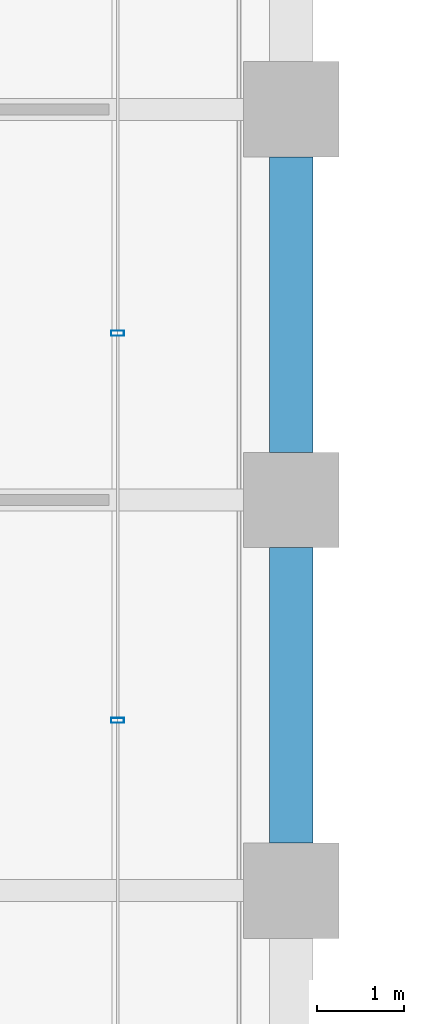
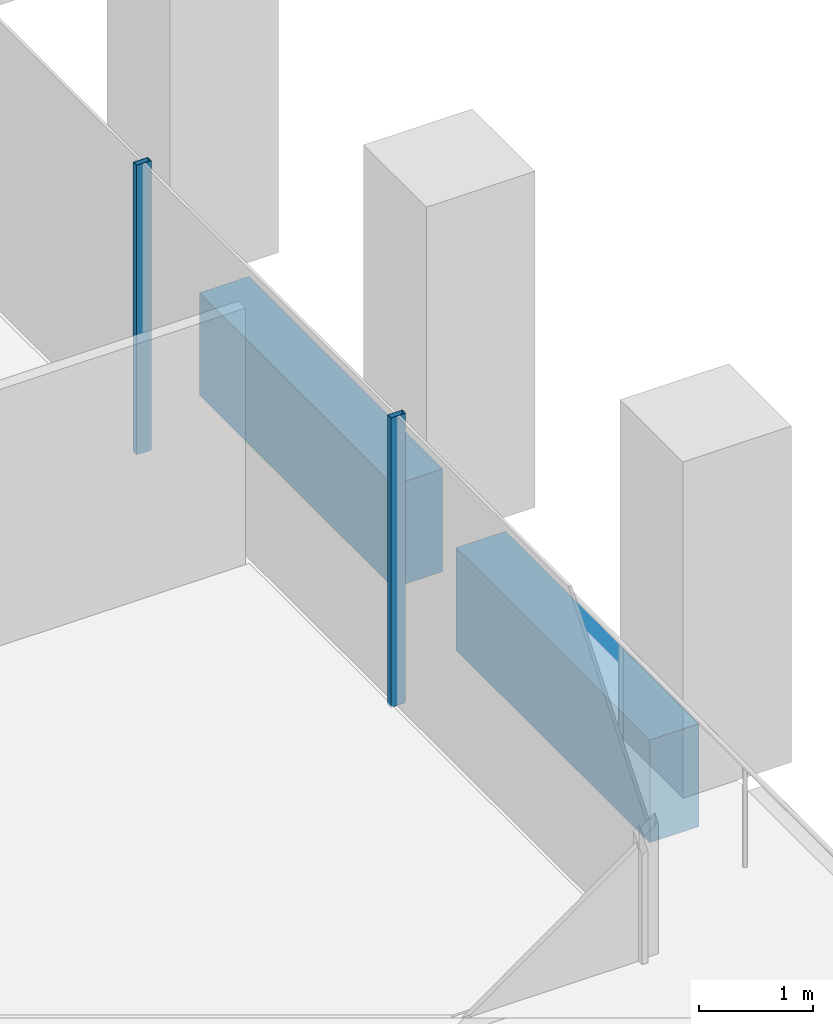
# One storey, part 18 of 56: 2 beams, 2 members, 1 element without a shape of its own.
"""IFC4 building model written with IfcOpenShell, lengths in metres."""

from ifc_helpers import new_model, si_unit, direction, frame, origin, origin_2d, place, context, subcontext, project, spatial, rectangle, hollow_rectangle, extrude, material, material_profile, profile_set, type_object, element, aggregate, save


model = new_model("IFC4")

# Units and contexts
model_context = context("Model", 3, precision=1e-05, world=origin(), true_north=direction((0.0, 1.0)))
body_context = subcontext(model_context, "Body", "Model", "MODEL_VIEW")
ifc_project = project(units=[si_unit("LENGTHUNIT", "METRE"), si_unit("AREAUNIT", "SQUARE_METRE"), si_unit("VOLUMEUNIT", "CUBIC_METRE"), si_unit("PLANEANGLEUNIT", "RADIAN"), si_unit("MASSUNIT", "GRAM", prefix="KILO")], contexts=[model_context])

# Site, building, storey
site_placement = place(None, origin())
site = spatial("IfcSite", under=ifc_project, at=site_placement, CompositionType="ELEMENT")
building_placement = place(site_placement, origin())
building = spatial("IfcBuilding", under=site, at=building_placement, Name="Altepetl Exchange Towers", CompositionType="ELEMENT")
storey_placement = place(building_placement, frame((0.0, 0.0, 79.800048828125)))
storey = spatial("IfcBuildingStorey", under=building, at=storey_placement, Name="L19", CompositionType="ELEMENT", Elevation=79.800048828125)

# Curtain wall, members
ifc_material_1 = material(Name="Aluminium 6063-T6 glazing", Category="aluminium")
curtain_wall_type = type_object("IfcCurtainWallType", Name="Loggia glazing system", PredefinedType="NOTDEFINED", material=ifc_material_1)
curtain_wall_placement = place(storey_placement, origin())
curtain_wall = element("IfcCurtainWall", 1, at=curtain_wall_placement, inside=storey, type_object=curtain_wall_type, Name="CW1 run", PredefinedType="NOTDEFINED")
ifc_material_2 = material(Name="Aluminium 6063-T6", Category="aluminium")
ifc_material_profile_1 = material_profile(ifc_material_2, hollow_rectangle(XDim=0.06005859375, YDim=0.14990234375, WallThickness=0.0029296875, at=origin_2d()), Name="Mullion 60x150 aluminium")
ifc_profile_set_1 = profile_set([ifc_material_profile_1], Name="Aluminium 6063-T6")
member_type = type_object("IfcMemberType", Name="Mullion 60x150 aluminium", PredefinedType="MULLION", material=ifc_profile_set_1)
member_1_placement = place(storey_placement, frame((70.0, 37.9609375, 0.0), z_axis=(0.0, 0.0, 1.0), x_axis=(0.0, 1.0, 0.0)))
member_1 = element("IfcMember", 2, at=member_1_placement, type_object=member_type, Name="MU1 mullion", PredefinedType="MULLION", context=body_context, shape_type="SweptSolid", body=[
    extrude(hollow_rectangle(XDim=0.06005859375, YDim=0.14990234375, WallThickness=0.0029296875, at=origin_2d()), origin(), (0.0, 0.0, 1.0), 3.099853515625),
])
member_2_placement = place(storey_placement, frame((70.0, 42.422119140625, 0.0), z_axis=(0.0, 0.0, 1.0), x_axis=(0.0, 1.0, 0.0)))
member_2 = element("IfcMember", 3, at=member_2_placement, type_object=member_type, Name="MU1 mullion", PredefinedType="MULLION", context=body_context, shape_type="SweptSolid", body=[
    extrude(hollow_rectangle(XDim=0.06005859375, YDim=0.14990234375, WallThickness=0.0029296875, at=origin_2d()), origin(), (0.0, 0.0, 1.0), 3.099853515625),
])
aggregate(curtain_wall, [member_1, member_2])

# Beams
ifc_material_3 = material(Name="Concrete C50/60 precast with cantera amarilla facing", Category="concrete")
ifc_material_profile_2 = material_profile(ifc_material_3, rectangle(XDim=0.5, YDim=1.10009765625, at=origin_2d()), Name="500 x 1100")
ifc_profile_set_2 = profile_set([ifc_material_profile_2], Name="Concrete C50/60 precast with cantera amarilla facing")
beam_type = type_object("IfcBeamType", Name="Spandrel beam 500x1100 cantera amarilla", PredefinedType="SPANDREL", material=ifc_profile_set_2)
for number, where, z_axis, x_axis, name in (
    (4, (72.0, 36.550048828125, -0.699951171875), (0.0, 1.0, 0.0), (-1.0, 0.0, 0.0), "sp:A:L19:013"),
    (5, (72.0, 41.050048828125, -0.699951171875), (0.0, 1.0, 0.0), (-1.0, 0.0, 0.0), "sp:A:L19:014"),
):
    element("IfcBeam", number, at=place(storey_placement, frame(where, z_axis=z_axis, x_axis=x_axis)), inside=storey, type_object=beam_type, Name=name, PredefinedType="SPANDREL", context=body_context, shape_type="SweptSolid", body=[
        extrude(rectangle(XDim=0.5, YDim=1.10009765625, at=origin_2d()), origin(), (0.0, 0.0, 1.0), 3.39990234375),
    ])

save(model, "model.ifc")
